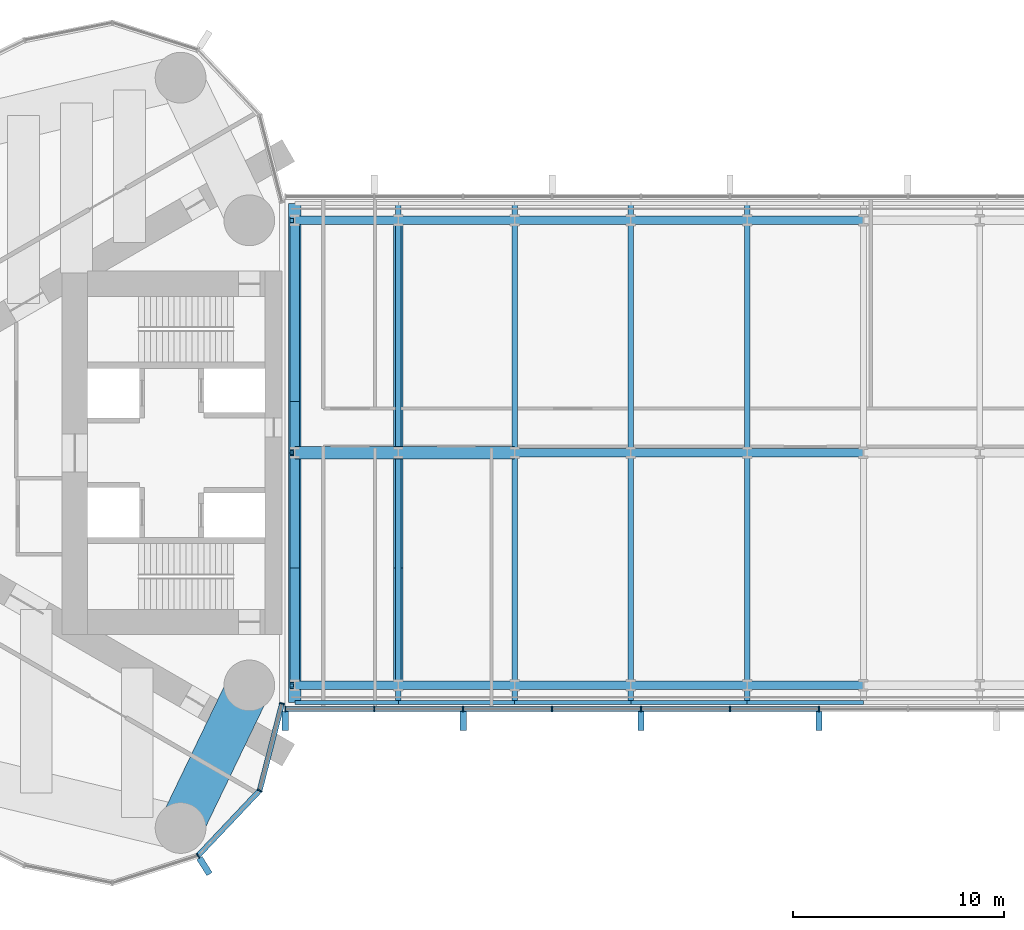
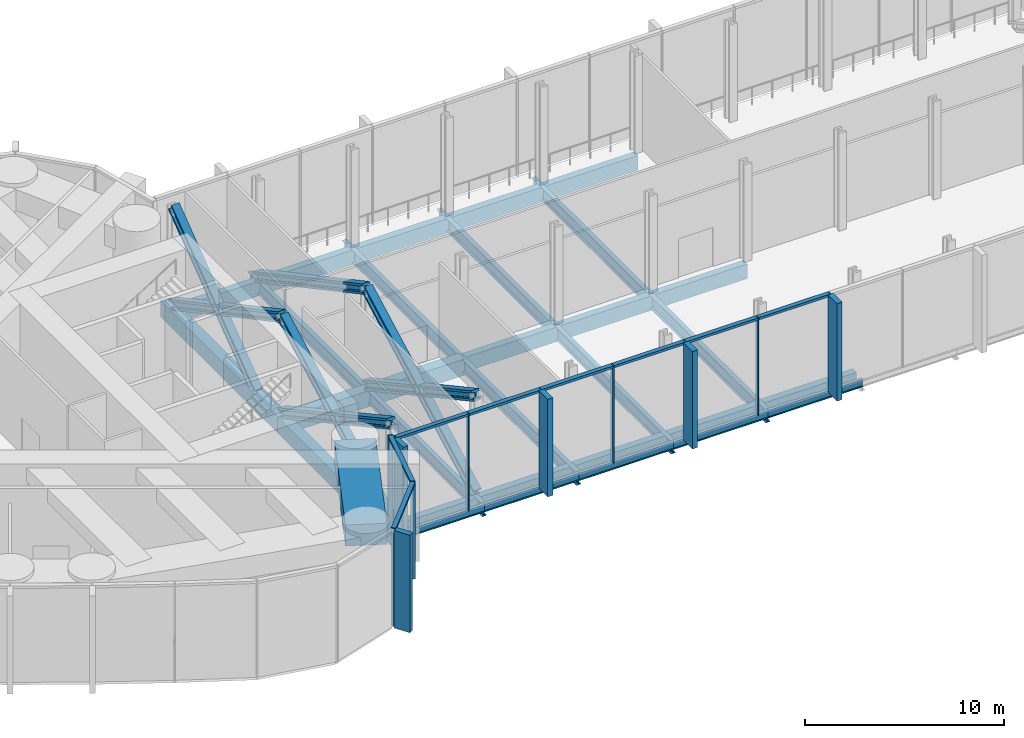
# One storey, part 5 of 21: 31 beams, 30 members, 2 elements without a shape of their own.
"""IFC4 building model written with IfcOpenShell, lengths in metres."""

from ifc_helpers import new_model, si_unit, direction, frame, origin, origin_2d, place, context, subcontext, project, spatial, rectangle, hollow_rectangle, i_section, extrude, material, material_profile, profile_set, type_object, element, aggregate, save


model = new_model("IFC4")

# Units and contexts
model_context = context("Model", 3, precision=1e-05, world=origin(), true_north=direction((0.0, 1.0)))
body_context = subcontext(model_context, "Body", "Model", "MODEL_VIEW")
ifc_project = project(units=[si_unit("LENGTHUNIT", "METRE"), si_unit("AREAUNIT", "SQUARE_METRE"), si_unit("VOLUMEUNIT", "CUBIC_METRE"), si_unit("PLANEANGLEUNIT", "RADIAN"), si_unit("MASSUNIT", "GRAM", prefix="KILO")], contexts=[model_context])

# Site, building, storey
site_placement = place(None, origin())
site = spatial("IfcSite", under=ifc_project, at=site_placement, CompositionType="ELEMENT")
building_placement = place(site_placement, origin())
building = spatial("IfcBuilding", under=site, at=building_placement, Name="Lancet Gate Hotel", CompositionType="ELEMENT")
storey_placement = place(building_placement, frame((0.0, 0.0, 257.300048828125)))
storey = spatial("IfcBuildingStorey", under=building, at=storey_placement, Name="L68", CompositionType="ELEMENT", Elevation=257.300048828125)

# Curtain wall, members
ifc_material_1 = material(Name="Aluminium curtain wall", Category="aluminium")
curtain_wall_type = type_object("IfcCurtainWallType", Name="Sky deck full-height glazing", PredefinedType="USERDEFINED", material=ifc_material_1)
curtain_wall_1_placement = place(storey_placement, origin())
curtain_wall_1 = element("IfcCurtainWall", 1, at=curtain_wall_1_placement, inside=storey, type_object=curtain_wall_type, Name="T1 L68 curtain wall 1", ObjectType="UNITISED CURTAIN WALL", PredefinedType="USERDEFINED")
ifc_material_2 = material(Name="Aluminium mullion", Category="aluminium")
ifc_material_profile_1 = material_profile(ifc_material_2, rectangle(XDim=0.06494140625, YDim=0.25, at=origin_2d()), Name="MULLION 65x250")
ifc_profile_set_1 = profile_set([ifc_material_profile_1], Name="Aluminium mullion")
member_type_1 = type_object("IfcMemberType", Name="Aluminium mullion 65x250", PredefinedType="MULLION", material=ifc_profile_set_1)
member_1_placement = place(storey_placement, frame((-31.476318359375, -19.0576171875, 0.0), z_axis=(0.0, 0.0, 1.0), x_axis=(0.846612863, 0.532209225966, 0.0)))
member_1 = element("IfcMember", 2, at=member_1_placement, type_object=member_type_1, Name="T1 L68 curtain wall 1 mullion 23", PredefinedType="MULLION", context=body_context, shape_type="SweptSolid", body=[
    extrude(rectangle(XDim=0.06494140625, YDim=0.25, at=origin_2d()), origin(), (0.0, 0.0, 1.0), 6.0),
])
member_2_placement = place(storey_placement, frame((-28.56005859375, -15.97216796875, 0.0), z_axis=(0.0, 0.0, 1.0), x_axis=(0.483627322447, 0.875274021654, 0.0)))
member_2 = element("IfcMember", 3, at=member_2_placement, type_object=member_type_1, Name="T1 L68 curtain wall 1 mullion 24", PredefinedType="MULLION", context=body_context, shape_type="SweptSolid", body=[
    extrude(rectangle(XDim=0.06494140625, YDim=0.25, at=origin_2d()), origin(), (0.0, 0.0, 1.0), 6.0),
])
member_3_placement = place(storey_placement, frame((-27.5, -11.861572265625, 0.0), z_axis=(0.0, 0.0, 1.0), x_axis=(0.249725827997, 0.968316586056, 0.0)))
member_3 = element("IfcMember", 4, at=member_3_placement, type_object=member_type_1, Name="T1 L68 curtain wall 1 mullion 25", PredefinedType="MULLION", context=body_context, shape_type="SweptSolid", body=[
    extrude(rectangle(XDim=0.06494140625, YDim=0.25, at=origin_2d()), origin(), (0.0, 0.0, 1.0), 6.0),
])

curtain_wall_2_placement = place(storey_placement, origin())
curtain_wall_2 = element("IfcCurtainWall", 5, at=curtain_wall_2_placement, inside=storey, type_object=curtain_wall_type, Name="Bridge block L68 curtain wall S", ObjectType="UNITISED CURTAIN WALL", PredefinedType="USERDEFINED")
member_4_placement = place(storey_placement, frame((-27.35009765625, -12.1201171875, 0.0), z_axis=(0.0, 0.0, 1.0), x_axis=(1.0, 0.0, 0.0)))
member_4 = element("IfcMember", 6, at=member_4_placement, type_object=member_type_1, Name="Bridge block L68 curtain wall S mullion 1", PredefinedType="MULLION", context=body_context, shape_type="SweptSolid", body=[
    extrude(rectangle(XDim=0.06494140625, YDim=0.25, at=origin_2d()), origin(), (0.0, 0.0, 1.0), 6.0),
])
member_5_placement = place(storey_placement, frame((-23.142333984375, -12.1201171875, 0.0), z_axis=(0.0, 0.0, 1.0), x_axis=(1.0, 0.0, 0.0)))
member_5 = element("IfcMember", 7, at=member_5_placement, type_object=member_type_1, Name="Bridge block L68 curtain wall S mullion 2", PredefinedType="MULLION", context=body_context, shape_type="SweptSolid", body=[
    extrude(rectangle(XDim=0.06494140625, YDim=0.25, at=origin_2d()), origin(), (0.0, 0.0, 1.0), 6.0),
])
member_6_placement = place(storey_placement, frame((-18.9345703125, -12.1201171875, 0.0), z_axis=(0.0, 0.0, 1.0), x_axis=(1.0, 0.0, 0.0)))
member_6 = element("IfcMember", 8, at=member_6_placement, type_object=member_type_1, Name="Bridge block L68 curtain wall S mullion 3", PredefinedType="MULLION", context=body_context, shape_type="SweptSolid", body=[
    extrude(rectangle(XDim=0.06494140625, YDim=0.25, at=origin_2d()), origin(), (0.0, 0.0, 1.0), 6.0),
])
member_7_placement = place(storey_placement, frame((-14.726806640625, -12.1201171875, 0.0), z_axis=(0.0, 0.0, 1.0), x_axis=(1.0, 0.0, 0.0)))
member_7 = element("IfcMember", 9, at=member_7_placement, type_object=member_type_1, Name="Bridge block L68 curtain wall S mullion 4", PredefinedType="MULLION", context=body_context, shape_type="SweptSolid", body=[
    extrude(rectangle(XDim=0.06494140625, YDim=0.25, at=origin_2d()), origin(), (0.0, 0.0, 1.0), 6.0),
])
member_8_placement = place(storey_placement, frame((-10.519287109375, -12.1201171875, 0.0), z_axis=(0.0, 0.0, 1.0), x_axis=(1.0, 0.0, 0.0)))
member_8 = element("IfcMember", 10, at=member_8_placement, type_object=member_type_1, Name="Bridge block L68 curtain wall S mullion 5", PredefinedType="MULLION", context=body_context, shape_type="SweptSolid", body=[
    extrude(rectangle(XDim=0.06494140625, YDim=0.25, at=origin_2d()), origin(), (0.0, 0.0, 1.0), 6.0),
])
member_9_placement = place(storey_placement, frame((-6.3115234375, -12.1201171875, 0.0), z_axis=(0.0, 0.0, 1.0), x_axis=(1.0, 0.0, 0.0)))
member_9 = element("IfcMember", 11, at=member_9_placement, type_object=member_type_1, Name="Bridge block L68 curtain wall S mullion 6", PredefinedType="MULLION", context=body_context, shape_type="SweptSolid", body=[
    extrude(rectangle(XDim=0.06494140625, YDim=0.25, at=origin_2d()), origin(), (0.0, 0.0, 1.0), 6.0),
])
member_10_placement = place(storey_placement, frame((-2.103759765625, -12.1201171875, 0.0), z_axis=(0.0, 0.0, 1.0), x_axis=(1.0, 0.0, 0.0)))
member_10 = element("IfcMember", 12, at=member_10_placement, type_object=member_type_1, Name="Bridge block L68 curtain wall S mullion 7", PredefinedType="MULLION", context=body_context, shape_type="SweptSolid", body=[
    extrude(rectangle(XDim=0.06494140625, YDim=0.25, at=origin_2d()), origin(), (0.0, 0.0, 1.0), 6.0),
])

# Member
ifc_material_3 = material(Name="Aluminium transom", Category="aluminium")
ifc_material_profile_2 = material_profile(ifc_material_3, rectangle(XDim=0.25, YDim=0.14990234375, at=origin_2d()), Name="TRANSOM 250x150")
ifc_profile_set_2 = profile_set([ifc_material_profile_2], Name="Aluminium transom")
member_type_2 = type_object("IfcMemberType", Name="Aluminium transom 250x150", PredefinedType="USERDEFINED", material=ifc_profile_set_2)
member_11_placement = place(storey_placement, frame((-31.453857421875, -19.033935546875, 5.925048828125), z_axis=(0.686880731091, 0.726770157103, 0.0), x_axis=(-0.726770157103, 0.686880731091, 0.0)))
member_11 = element("IfcMember", 13, at=member_11_placement, type_object=member_type_2, Name="T1 L68 curtain wall 1 transom 23", ObjectType="TRANSOM", PredefinedType="USERDEFINED", context=body_context, shape_type="SweptSolid", body=[
    extrude(rectangle(XDim=0.25, YDim=0.14990234375, at=origin_2d()), origin(), (0.0, 0.0, 1.0), 4.18017578125),
])

member_12_placement = place(storey_placement, frame((-28.552001953125, -15.94091796875, 5.925048828125), z_axis=(0.249715522936, 0.968319243641, 0.0), x_axis=(-0.968319243641, 0.249715522936, 0.0)))
member_12 = element("IfcMember", 14, at=member_12_placement, type_object=member_type_2, Name="T1 L68 curtain wall 1 transom 24", ObjectType="TRANSOM", PredefinedType="USERDEFINED", context=body_context, shape_type="SweptSolid", body=[
    extrude(rectangle(XDim=0.25, YDim=0.14990234375, at=origin_2d()), origin(), (0.0, 0.0, 1.0), 4.180419921875),
])

member_13_placement = place(storey_placement, frame((-27.3173828125, -12.1201171875, 5.925048828125), z_axis=(1.0, 0.0, 0.0), x_axis=(0.0, 1.0, 0.0)))
member_13 = element("IfcMember", 15, at=member_13_placement, type_object=member_type_2, Name="Bridge block L68 curtain wall S transom 1", ObjectType="TRANSOM", PredefinedType="USERDEFINED", context=body_context, shape_type="SweptSolid", body=[
    extrude(rectangle(XDim=0.25, YDim=0.14990234375, at=origin_2d()), origin(), (0.0, 0.0, 1.0), 4.142578125),
])

member_14_placement = place(storey_placement, frame((-23.10986328125, -12.1201171875, 5.925048828125), z_axis=(1.0, 0.0, 0.0), x_axis=(0.0, 1.0, 0.0)))
member_14 = element("IfcMember", 16, at=member_14_placement, type_object=member_type_2, Name="Bridge block L68 curtain wall S transom 2", ObjectType="TRANSOM", PredefinedType="USERDEFINED", context=body_context, shape_type="SweptSolid", body=[
    extrude(rectangle(XDim=0.25, YDim=0.14990234375, at=origin_2d()), origin(), (0.0, 0.0, 1.0), 4.142822265625),
])

member_15_placement = place(storey_placement, frame((-18.902099609375, -12.1201171875, 5.925048828125), z_axis=(1.0, 0.0, 0.0), x_axis=(0.0, 1.0, 0.0)))
member_15 = element("IfcMember", 17, at=member_15_placement, type_object=member_type_2, Name="Bridge block L68 curtain wall S transom 3", ObjectType="TRANSOM", PredefinedType="USERDEFINED", context=body_context, shape_type="SweptSolid", body=[
    extrude(rectangle(XDim=0.25, YDim=0.14990234375, at=origin_2d()), origin(), (0.0, 0.0, 1.0), 4.142578125),
])

member_16_placement = place(storey_placement, frame((-14.6943359375, -12.1201171875, 5.925048828125), z_axis=(1.0, 0.0, 0.0), x_axis=(0.0, 1.0, 0.0)))
member_16 = element("IfcMember", 18, at=member_16_placement, type_object=member_type_2, Name="Bridge block L68 curtain wall S transom 4", ObjectType="TRANSOM", PredefinedType="USERDEFINED", context=body_context, shape_type="SweptSolid", body=[
    extrude(rectangle(XDim=0.25, YDim=0.14990234375, at=origin_2d()), origin(), (0.0, 0.0, 1.0), 4.142578125),
])

member_17_placement = place(storey_placement, frame((-10.48681640625, -12.1201171875, 5.925048828125), z_axis=(1.0, 0.0, 0.0), x_axis=(0.0, 1.0, 0.0)))
member_17 = element("IfcMember", 19, at=member_17_placement, type_object=member_type_2, Name="Bridge block L68 curtain wall S transom 5", ObjectType="TRANSOM", PredefinedType="USERDEFINED", context=body_context, shape_type="SweptSolid", body=[
    extrude(rectangle(XDim=0.25, YDim=0.14990234375, at=origin_2d()), origin(), (0.0, 0.0, 1.0), 4.142822265625),
])

member_18_placement = place(storey_placement, frame((-6.279052734375, -12.1201171875, 5.925048828125), z_axis=(1.0, 0.0, 0.0), x_axis=(0.0, 1.0, 0.0)))
member_18 = element("IfcMember", 20, at=member_18_placement, type_object=member_type_2, Name="Bridge block L68 curtain wall S transom 6", ObjectType="TRANSOM", PredefinedType="USERDEFINED", context=body_context, shape_type="SweptSolid", body=[
    extrude(rectangle(XDim=0.25, YDim=0.14990234375, at=origin_2d()), origin(), (0.0, 0.0, 1.0), 4.142822265625),
])

# Beams
ifc_material_4 = material(Name="Steel S355", Category="steel")
ifc_material_profile_3 = material_profile(ifc_material_4, i_section(OverallWidth=0.26806640625, OverallDepth=0.769775390625, WebThickness=0.015625, FlangeThickness=0.025390625, FilletRadius=0.0166015625, at=origin_2d()), Name="UKB 762x267x197")
ifc_profile_set_3 = profile_set([ifc_material_profile_3], Name="Steel S355")
beam_type_1 = type_object("IfcBeamType", Name="Block assembly floor beam UKB 762x267x197", PredefinedType="JOIST", material=ifc_profile_set_3)
for number, where, z_axis, x_axis, name in (
    (21, (-22.0, -11.800048828125, -0.5849609375), (0.0, 1.0, 0.0), (-1.0, 0.0, 0.0), "Block beam x1 S L68"),
    (22, (-22.0, 0.0, -0.5849609375), (0.0, 1.0, 0.0), (-1.0, 0.0, 0.0), "Block beam x1 N L68"),
    (23, (-16.5, -11.800048828125, -0.5849609375), (0.0, 1.0, 0.0), (-1.0, 0.0, 0.0), "Block beam x2 S L68"),
    (24, (-16.5, 0.0, -0.5849609375), (0.0, 1.0, 0.0), (-1.0, 0.0, 0.0), "Block beam x2 N L68"),
    (25, (-11.0, -11.800048828125, -0.5849609375), (0.0, 1.0, 0.0), (-1.0, 0.0, 0.0), "Block beam x3 S L68"),
    (26, (-11.0, 0.0, -0.5849609375), (0.0, 1.0, 0.0), (-1.0, 0.0, 0.0), "Block beam x3 N L68"),
    (27, (-5.5, -11.800048828125, -0.5849609375), (0.0, 1.0, 0.0), (-1.0, 0.0, 0.0), "Block beam x4 S L68"),
    (28, (-5.5, 0.0, -0.5849609375), (0.0, 1.0, 0.0), (-1.0, 0.0, 0.0), "Block beam x4 N L68"),
):
    element("IfcBeam", number, at=place(storey_placement, frame(where, z_axis=z_axis, x_axis=x_axis)), inside=storey, type_object=beam_type_1, Name=name, PredefinedType="JOIST", context=body_context, shape_type="SweptSolid", body=[
        extrude(i_section(OverallWidth=0.26806640625, OverallDepth=0.769775390625, WebThickness=0.015625, FlangeThickness=0.025390625, FilletRadius=0.0166015625, at=origin_2d()), origin(), (0.0, 0.0, 1.0), 11.800048828125),
    ])

# Members
ifc_material_5 = material(Name="Steel S460", Category="steel")
ifc_material_profile_4 = material_profile(ifc_material_5, i_section(OverallWidth=0.4541015625, OverallDepth=0.569091796875, WebThickness=0.077880859375, FlangeThickness=0.125, FilletRadius=0.02001953125, at=origin_2d()), Name="HD 400x1086")
ifc_profile_set_4 = profile_set([ifc_material_profile_4], Name="Steel S460")
member_type_3 = type_object("IfcMemberType", Name="Block brace HD 400x1086", PredefinedType="BRACE", material=ifc_profile_set_4)
member_19_placement = place(storey_placement, frame((-26.89990234375, -11.0, 0.0), z_axis=(0.0, 0.881244921755, 0.472659907207), x_axis=(-1.0, 0.0, 0.0)))
element("IfcMember", 29, at=member_19_placement, inside=storey, type_object=member_type_3, Name="Block brace WY11 L68", PredefinedType="BRACE", context=body_context, shape_type="SweptSolid", body=[
    extrude(i_section(OverallWidth=0.4541015625, OverallDepth=0.569091796875, WebThickness=0.077880859375, FlangeThickness=0.125, FilletRadius=0.02001953125, at=origin_2d()), origin(), (0.0, 0.0, 1.0), 12.482421875),
])
member_20_placement = place(storey_placement, frame((-26.89990234375, 0.0, 0.0), z_axis=(0.0, -0.877895572914, 0.478852130681), x_axis=(1.0, 0.0, 0.0)))
element("IfcMember", 30, at=member_20_placement, inside=storey, type_object=member_type_3, Name="Block brace WY12 L68", PredefinedType="BRACE", context=body_context, shape_type="SweptSolid", body=[
    extrude(i_section(OverallWidth=0.4541015625, OverallDepth=0.569091796875, WebThickness=0.077880859375, FlangeThickness=0.125, FilletRadius=0.02001953125, at=origin_2d()), origin(), (0.0, 0.0, 1.0), 12.530029296875),
])
for number, where, z_axis, x_axis, name in (
    (31, (-26.89990234375, 11.0, 0.0), (0.0, -0.881244921755, 0.472659907207), (1.0, 0.0, 0.0), "Block brace WY22 L68"),
    (32, (-22.0, -11.0, 0.0), (0.0, 0.881244921755, 0.472659907207), (-1.0, 0.0, 0.0), "Block brace WI11 L68"),
):
    element("IfcMember", number, at=place(storey_placement, frame(where, z_axis=z_axis, x_axis=x_axis)), inside=storey, type_object=member_type_3, Name=name, PredefinedType="BRACE", context=body_context, shape_type="SweptSolid", body=[
        extrude(i_section(OverallWidth=0.4541015625, OverallDepth=0.569091796875, WebThickness=0.077880859375, FlangeThickness=0.125, FilletRadius=0.02001953125, at=origin_2d()), origin(), (0.0, 0.0, 1.0), 12.482421875),
    ])
member_21_placement = place(storey_placement, frame((-22.0, 0.0, 0.0), z_axis=(0.0, -0.877895572914, 0.478852130681), x_axis=(1.0, 0.0, 0.0)))
element("IfcMember", 33, at=member_21_placement, inside=storey, type_object=member_type_3, Name="Block brace WI12 L68", PredefinedType="BRACE", context=body_context, shape_type="SweptSolid", body=[
    extrude(i_section(OverallWidth=0.4541015625, OverallDepth=0.569091796875, WebThickness=0.077880859375, FlangeThickness=0.125, FilletRadius=0.02001953125, at=origin_2d()), origin(), (0.0, 0.0, 1.0), 12.530029296875),
])
member_22_placement = place(storey_placement, frame((-22.0, 11.0, 0.0), z_axis=(0.0, -0.881244921755, 0.472659907207), x_axis=(1.0, 0.0, 0.0)))
element("IfcMember", 34, at=member_22_placement, inside=storey, type_object=member_type_3, Name="Block brace WI22 L68", PredefinedType="BRACE", context=body_context, shape_type="SweptSolid", body=[
    extrude(i_section(OverallWidth=0.4541015625, OverallDepth=0.569091796875, WebThickness=0.077880859375, FlangeThickness=0.125, FilletRadius=0.02001953125, at=origin_2d()), origin(), (0.0, 0.0, 1.0), 12.482421875),
])
member_23_placement = place(storey_placement, frame((-26.89990234375, 2.60009765625, -0.300048828125), z_axis=(0.0, 0.799994419582, 0.600007440485), x_axis=(-1.0, 0.0, 0.0)))
element("IfcMember", 35, at=member_23_placement, inside=storey, type_object=member_type_3, Name="Block brace WY23 L68", PredefinedType="BRACE", context=body_context, shape_type="SweptSolid", body=[
    extrude(i_section(OverallWidth=0.4541015625, OverallDepth=0.569091796875, WebThickness=0.077880859375, FlangeThickness=0.125, FilletRadius=0.02001953125, at=origin_2d()), origin(), (0.0, 0.0, 1.0), 10.5),
])

# Beams
ifc_material_6 = material(Name="Steel S355", Category="steel")
ifc_material_profile_5 = material_profile(ifc_material_6, i_section(OverallWidth=0.19140625, OverallDepth=0.4599609375, WebThickness=0.010009765625, FlangeThickness=0.01611328125, FilletRadius=0.01025390625, at=origin_2d()), Name="UKB 457x191x82")
ifc_profile_set_5 = profile_set([ifc_material_profile_5], Name="Steel S355")
beam_type_2 = type_object("IfcBeamType", Name="Block edge beam UKB 457x191x82", PredefinedType="SPANDREL", material=ifc_profile_set_5)
beam_1_placement = place(storey_placement, frame((-26.89990234375, -11.800048828125, -0.429931640625), z_axis=(1.0, 0.0, 0.0), x_axis=(0.0, 1.0, 0.0)))
element("IfcBeam", 36, at=beam_1_placement, inside=storey, type_object=beam_type_2, Name="Block edge beam S 0-1 L68", PredefinedType="SPANDREL", context=body_context, shape_type="SweptSolid", body=[
    extrude(i_section(OverallWidth=0.19140625, OverallDepth=0.4599609375, WebThickness=0.010009765625, FlangeThickness=0.01611328125, FilletRadius=0.01025390625, at=origin_2d()), origin(), (0.0, 0.0, 1.0), 4.89990234375),
])
for number, where, z_axis, x_axis, name in (
    (37, (-22.0, -11.800048828125, -0.429931640625), (1.0, 0.0, 0.0), (0.0, 1.0, 0.0), "Block edge beam S 1-2 L68"),
    (38, (-16.5, -11.800048828125, -0.429931640625), (1.0, 0.0, 0.0), (0.0, 1.0, 0.0), "Block edge beam S 2-3 L68"),
    (39, (-11.0, -11.800048828125, -0.429931640625), (1.0, 0.0, 0.0), (0.0, 1.0, 0.0), "Block edge beam S 3-4 L68"),
    (40, (-5.5, -11.800048828125, -0.429931640625), (1.0, 0.0, 0.0), (0.0, 1.0, 0.0), "Block edge beam S 4-5 L68"),
):
    element("IfcBeam", number, at=place(storey_placement, frame(where, z_axis=z_axis, x_axis=x_axis)), inside=storey, type_object=beam_type_2, Name=name, PredefinedType="SPANDREL", context=body_context, shape_type="SweptSolid", body=[
        extrude(i_section(OverallWidth=0.19140625, OverallDepth=0.4599609375, WebThickness=0.010009765625, FlangeThickness=0.01611328125, FilletRadius=0.01025390625, at=origin_2d()), origin(), (0.0, 0.0, 1.0), 5.5),
    ])
ifc_material_7 = material(Name="Steel S460QL", Category="steel")
ifc_material_profile_6 = material_profile(ifc_material_7, hollow_rectangle(XDim=0.60009765625, YDim=1.0, WallThickness=0.10009765625, at=origin_2d()), Name="BOX 1000x600x100")
ifc_profile_set_6 = profile_set([ifc_material_profile_6], Name="Steel S460QL")
beam_type_3 = type_object("IfcBeamType", Name="Block end beam BOX 1000x600x100", PredefinedType="BEAM", material=ifc_profile_set_6)
for number, where, z_axis, x_axis, name in (
    (41, (-26.89990234375, -11.800048828125, -0.699951171875), (0.0, 1.0, 0.0), (-1.0, 0.0, 0.0), "Block beam x0 S L68"),
    (42, (-26.89990234375, 0.0, -0.699951171875), (0.0, 1.0, 0.0), (-1.0, 0.0, 0.0), "Block beam x0 N L68"),
):
    element("IfcBeam", number, at=place(storey_placement, frame(where, z_axis=z_axis, x_axis=x_axis)), inside=storey, type_object=beam_type_3, Name=name, PredefinedType="BEAM", context=body_context, shape_type="SweptSolid", body=[
        extrude(hollow_rectangle(XDim=0.60009765625, YDim=1.0, WallThickness=0.10009765625, at=origin_2d()), origin(), (0.0, 0.0, 1.0), 11.800048828125),
    ])
ifc_material_8 = material(Name="Steel S460QL", Category="steel")
ifc_material_profile_7 = material_profile(ifc_material_8, hollow_rectangle(XDim=0.60009765625, YDim=1.0, WallThickness=0.080078125, at=origin_2d()), Name="BOX 1000x600x80")
ifc_profile_set_7 = profile_set([ifc_material_profile_7], Name="Steel S460QL")
beam_type_4 = type_object("IfcBeamType", Name="Block primary beam BOX 1000x600x80", PredefinedType="BEAM", material=ifc_profile_set_7)
beam_2_placement = place(storey_placement, frame((-26.89990234375, 0.0, -0.699951171875), z_axis=(1.0, 0.0, 0.0), x_axis=(0.0, 1.0, 0.0)))
element("IfcBeam", 43, at=beam_2_placement, inside=storey, type_object=beam_type_4, Name="Block primary beam M 1 L68", PredefinedType="BEAM", context=body_context, shape_type="SweptSolid", body=[
    extrude(hollow_rectangle(XDim=0.60009765625, YDim=1.0, WallThickness=0.080078125, at=origin_2d()), origin(), (0.0, 0.0, 1.0), 4.89990234375),
])
beam_3_placement = place(storey_placement, frame((-22.0, 0.0, -0.699951171875), z_axis=(1.0, 0.0, 0.0), x_axis=(0.0, 1.0, 0.0)))
element("IfcBeam", 44, at=beam_3_placement, inside=storey, type_object=beam_type_4, Name="Block primary beam M 2 L68", PredefinedType="BEAM", context=body_context, shape_type="SweptSolid", body=[
    extrude(hollow_rectangle(XDim=0.60009765625, YDim=1.0, WallThickness=0.080078125, at=origin_2d()), origin(), (0.0, 0.0, 1.0), 5.5),
])
ifc_material_9 = material(Name="Steel S355", Category="steel")
ifc_material_profile_8 = material_profile(ifc_material_9, hollow_rectangle(XDim=0.39990234375, YDim=0.89990234375, WallThickness=0.0400390625, at=origin_2d()), Name="BOX 900x400x40")
ifc_profile_set_8 = profile_set([ifc_material_profile_8], Name="Steel S355")
beam_type_5 = type_object("IfcBeamType", Name="Block primary beam BOX 900x400x40", PredefinedType="BEAM", material=ifc_profile_set_8)
beam_4_placement = place(storey_placement, frame((-26.89990234375, -11.0, -0.650146484375), z_axis=(1.0, 0.0, 0.0), x_axis=(0.0, 1.0, 0.0)))
element("IfcBeam", 45, at=beam_4_placement, inside=storey, type_object=beam_type_5, Name="Block primary beam S 1 L68", PredefinedType="BEAM", context=body_context, shape_type="SweptSolid", body=[
    extrude(hollow_rectangle(XDim=0.39990234375, YDim=0.89990234375, WallThickness=0.0400390625, at=origin_2d()), origin(), (0.0, 0.0, 1.0), 4.89990234375),
])
for number, where, z_axis, x_axis, name in (
    (46, (-22.0, -11.0, -0.650146484375), (1.0, 0.0, 0.0), (0.0, 1.0, 0.0), "Block primary beam S 2 L68"),
    (47, (-16.5, -11.0, -0.650146484375), (1.0, 0.0, 0.0), (0.0, 1.0, 0.0), "Block primary beam S 3 L68"),
    (48, (-11.0, -11.0, -0.650146484375), (1.0, 0.0, 0.0), (0.0, 1.0, 0.0), "Block primary beam S 4 L68"),
    (49, (-5.5, -11.0, -0.650146484375), (1.0, 0.0, 0.0), (0.0, 1.0, 0.0), "Block primary beam S 5 L68"),
    (50, (-16.5, 0.0, -0.650146484375), (1.0, 0.0, 0.0), (0.0, 1.0, 0.0), "Block primary beam M 3 L68"),
    (51, (-11.0, 0.0, -0.650146484375), (1.0, 0.0, 0.0), (0.0, 1.0, 0.0), "Block primary beam M 4 L68"),
    (52, (-5.5, 0.0, -0.650146484375), (1.0, 0.0, 0.0), (0.0, 1.0, 0.0), "Block primary beam M 5 L68"),
):
    element("IfcBeam", number, at=place(storey_placement, frame(where, z_axis=z_axis, x_axis=x_axis)), inside=storey, type_object=beam_type_5, Name=name, PredefinedType="BEAM", context=body_context, shape_type="SweptSolid", body=[
        extrude(hollow_rectangle(XDim=0.39990234375, YDim=0.89990234375, WallThickness=0.0400390625, at=origin_2d()), origin(), (0.0, 0.0, 1.0), 5.5),
    ])
beam_5_placement = place(storey_placement, frame((-26.89990234375, 11.0, -0.650146484375), z_axis=(1.0, 0.0, 0.0), x_axis=(0.0, 1.0, 0.0)))
element("IfcBeam", 53, at=beam_5_placement, inside=storey, type_object=beam_type_5, Name="Block primary beam N 1 L68", PredefinedType="BEAM", context=body_context, shape_type="SweptSolid", body=[
    extrude(hollow_rectangle(XDim=0.39990234375, YDim=0.89990234375, WallThickness=0.0400390625, at=origin_2d()), origin(), (0.0, 0.0, 1.0), 4.89990234375),
])
for number, where, z_axis, x_axis, name in (
    (54, (-22.0, 11.0, -0.650146484375), (1.0, 0.0, 0.0), (0.0, 1.0, 0.0), "Block primary beam N 2 L68"),
    (55, (-16.5, 11.0, -0.650146484375), (1.0, 0.0, 0.0), (0.0, 1.0, 0.0), "Block primary beam N 3 L68"),
    (56, (-11.0, 11.0, -0.650146484375), (1.0, 0.0, 0.0), (0.0, 1.0, 0.0), "Block primary beam N 4 L68"),
    (57, (-5.5, 11.0, -0.650146484375), (1.0, 0.0, 0.0), (0.0, 1.0, 0.0), "Block primary beam N 5 L68"),
):
    element("IfcBeam", number, at=place(storey_placement, frame(where, z_axis=z_axis, x_axis=x_axis)), inside=storey, type_object=beam_type_5, Name=name, PredefinedType="BEAM", context=body_context, shape_type="SweptSolid", body=[
        extrude(hollow_rectangle(XDim=0.39990234375, YDim=0.89990234375, WallThickness=0.0400390625, at=origin_2d()), origin(), (0.0, 0.0, 1.0), 5.5),
    ])
ifc_material_10 = material(Name="Concrete C50/60", Category="concrete")
ifc_material_profile_9 = material_profile(ifc_material_10, rectangle(XDim=2.10009765625, YDim=1.300048828125, at=origin_2d()), Name="RC 2100x1300")
ifc_profile_set_9 = profile_set([ifc_material_profile_9], Name="Concrete C50/60")
beam_type_6 = type_object("IfcBeamType", Name="Edge beam RC 2100x1300", PredefinedType="SPANDREL", material=ifc_profile_set_9)
beam_6_placement = place(storey_placement, frame((-29.050048828125, -11.0, 5.099853515625), z_axis=(-0.434163599361, -0.900834040759, 0.0), x_axis=(0.900834040759, -0.434163599361, 0.0)))
element("IfcBeam", 58, at=beam_6_placement, inside=storey, type_object=beam_type_6, Name="T1 edge beam EB1 L68", PredefinedType="SPANDREL", context=body_context, shape_type="SweptSolid", body=[
    extrude(rectangle(XDim=2.10009765625, YDim=1.300048828125, at=origin_2d()), origin(), (0.0, 0.0, 1.0), 7.48779296875),
])

# Member
ifc_material_11 = material(Name="Precast concrete C50/60", Category="concrete")
ifc_material_profile_10 = material_profile(ifc_material_11, rectangle(XDim=0.300048828125, YDim=0.89990234375, at=origin_2d()), Name="FIN 300x900")
ifc_profile_set_10 = profile_set([ifc_material_profile_10], Name="Precast concrete C50/60")
member_type_4 = type_object("IfcMemberType", Name="Exposed concrete fin 300x900", PredefinedType="USERDEFINED", material=ifc_profile_set_10)
member_24_placement = place(storey_placement, frame((-31.170166015625, -19.54443359375, 0.0), z_axis=(0.0, 0.0, 1.0), x_axis=(0.846612863, 0.532209225966, 0.0)))
member_24 = element("IfcMember", 59, at=member_24_placement, type_object=member_type_4, Name="T1 L68 curtain wall 1 fin 23", ObjectType="FIN", PredefinedType="USERDEFINED", context=body_context, shape_type="SweptSolid", body=[
    extrude(rectangle(XDim=0.300048828125, YDim=0.89990234375, at=origin_2d()), origin(), (0.0, 0.0, 1.0), 6.0),
])

aggregate(curtain_wall_1, [member_1, member_24, member_2, member_3, member_11, member_12])

member_25_placement = place(storey_placement, frame((-27.35009765625, -12.695068359375, 0.0), z_axis=(0.0, 0.0, 1.0), x_axis=(1.0, 0.0, 0.0)))
member_25 = element("IfcMember", 60, at=member_25_placement, type_object=member_type_4, Name="Bridge block L68 curtain wall S fin 1", ObjectType="FIN", PredefinedType="USERDEFINED", context=body_context, shape_type="SweptSolid", body=[
    extrude(rectangle(XDim=0.300048828125, YDim=0.89990234375, at=origin_2d()), origin(), (0.0, 0.0, 1.0), 6.0),
])

member_26_placement = place(storey_placement, frame((-18.9345703125, -12.695068359375, 0.0), z_axis=(0.0, 0.0, 1.0), x_axis=(1.0, 0.0, 0.0)))
member_26 = element("IfcMember", 61, at=member_26_placement, type_object=member_type_4, Name="Bridge block L68 curtain wall S fin 3", ObjectType="FIN", PredefinedType="USERDEFINED", context=body_context, shape_type="SweptSolid", body=[
    extrude(rectangle(XDim=0.300048828125, YDim=0.89990234375, at=origin_2d()), origin(), (0.0, 0.0, 1.0), 6.0),
])

member_27_placement = place(storey_placement, frame((-10.519287109375, -12.695068359375, 0.0), z_axis=(0.0, 0.0, 1.0), x_axis=(1.0, 0.0, 0.0)))
member_27 = element("IfcMember", 62, at=member_27_placement, type_object=member_type_4, Name="Bridge block L68 curtain wall S fin 5", ObjectType="FIN", PredefinedType="USERDEFINED", context=body_context, shape_type="SweptSolid", body=[
    extrude(rectangle(XDim=0.300048828125, YDim=0.89990234375, at=origin_2d()), origin(), (0.0, 0.0, 1.0), 6.0),
])

member_28_placement = place(storey_placement, frame((-2.103759765625, -12.695068359375, 0.0), z_axis=(0.0, 0.0, 1.0), x_axis=(1.0, 0.0, 0.0)))
member_28 = element("IfcMember", 63, at=member_28_placement, type_object=member_type_4, Name="Bridge block L68 curtain wall S fin 7", ObjectType="FIN", PredefinedType="USERDEFINED", context=body_context, shape_type="SweptSolid", body=[
    extrude(rectangle(XDim=0.300048828125, YDim=0.89990234375, at=origin_2d()), origin(), (0.0, 0.0, 1.0), 6.0),
])

aggregate(curtain_wall_2, [member_4, member_25, member_5, member_6, member_26, member_7, member_8, member_27, member_9, member_10, member_28, member_13, member_14, member_15, member_16, member_17, member_18])

save(model, "model.ifc")
